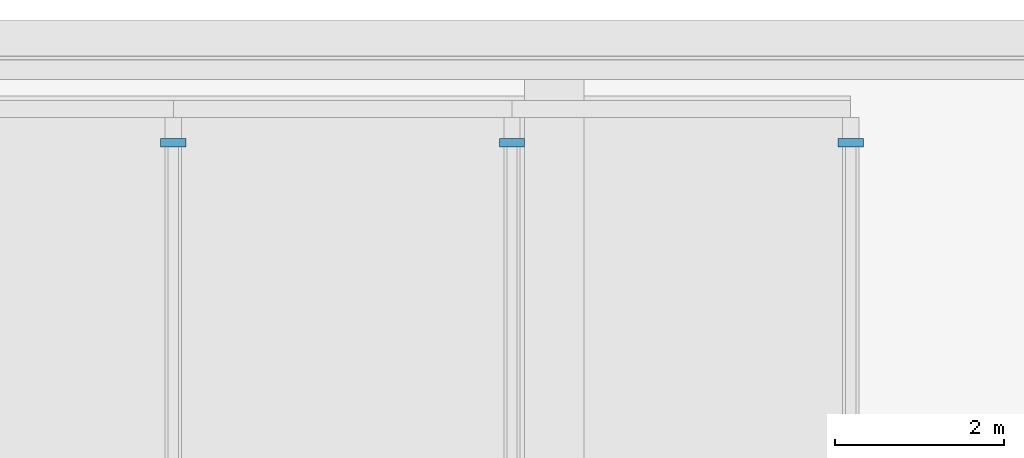
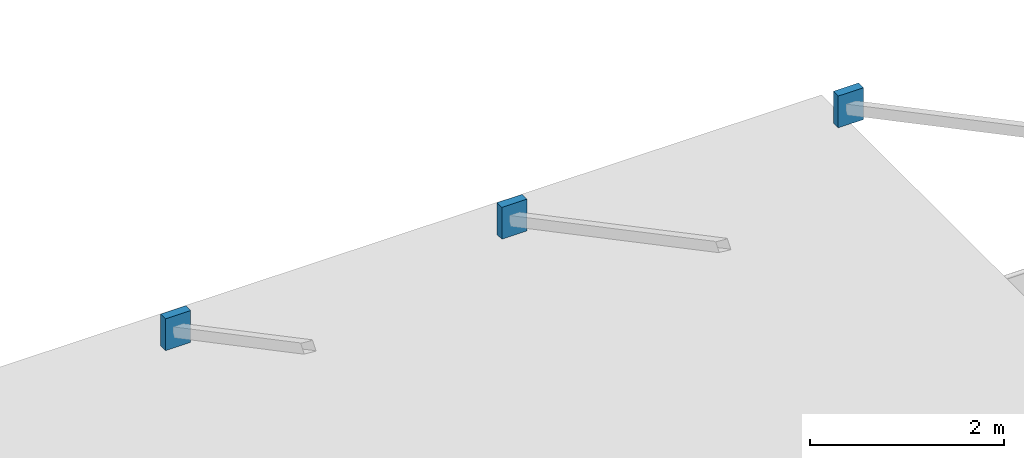
# One storey, part 136 of 168: 3 discrete accessories.
"""IFC4 building model written with IfcOpenShell, lengths in metres."""

from ifc_helpers import new_model, si_unit, direction, frame, origin, origin_2d, place, context, subcontext, project, spatial, rectangle, extrude, material, type_object, element, save


model = new_model("IFC4")

# Units and contexts
model_context = context("Model", 3, precision=1e-05, world=origin(), true_north=direction((0.0, 1.0)))
body_context = subcontext(model_context, "Body", "Model", "MODEL_VIEW")
ifc_project = project(units=[si_unit("LENGTHUNIT", "METRE"), si_unit("AREAUNIT", "SQUARE_METRE"), si_unit("VOLUMEUNIT", "CUBIC_METRE"), si_unit("PLANEANGLEUNIT", "RADIAN"), si_unit("MASSUNIT", "GRAM", prefix="KILO")], contexts=[model_context])

# Site, building, storey
site_placement = place(None, origin())
site = spatial("IfcSite", under=ifc_project, at=site_placement, CompositionType="ELEMENT")
building_placement = place(site_placement, origin())
building = spatial("IfcBuilding", under=site, at=building_placement, Name="Silverbay Arena", CompositionType="ELEMENT")
storey_placement = place(building_placement, frame((0.0, 0.0, 7.0)))
storey = spatial("IfcBuildingStorey", under=building, at=storey_placement, Name="L01", CompositionType="ELEMENT", Elevation=7.0)

# Discrete accessories
ifc_material = material(Name="Steel S355", Category="steel")
discrete_accessory_type = type_object("IfcDiscreteAccessoryType", Name="Steel bracket plate", PredefinedType="BRACKET", material=ifc_material)
for number, where, z_axis, x_axis, name in (
    (1, (130.5, 160.89990234375, 4.5), (0.0, 0.0, 1.0), (1.0, 0.0, 0.0), "Canopy tie edge lug plate"),
    (2, (134.5, 160.89990234375, 4.5), (0.0, 0.0, 1.0), (1.0, 0.0, 0.0), "Canopy tie edge lug plate"),
    (3, (138.5, 160.89990234375, 4.5), (0.0, 0.0, 1.0), (1.0, 0.0, 0.0), "Canopy tie edge lug plate"),
):
    element("IfcDiscreteAccessory", number, at=place(storey_placement, frame(where, z_axis=z_axis, x_axis=x_axis)), inside=storey, type_object=discrete_accessory_type, Name=name, PredefinedType="BRACKET", context=body_context, shape_type="SweptSolid", body=[
        extrude(rectangle(XDim=0.300048828125, YDim=0.10009765625, at=origin_2d()), origin(), (0.0, 0.0, 1.0), 0.39990234375),
    ])

save(model, "model.ifc")
